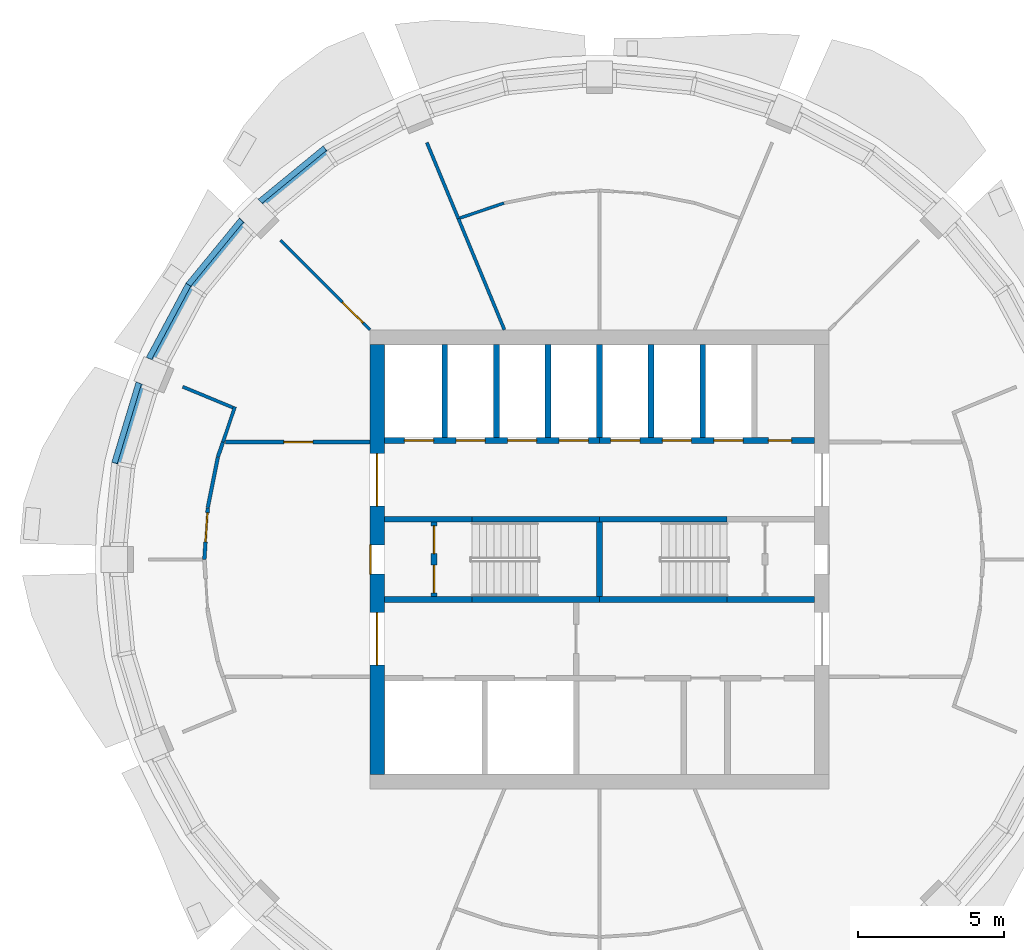
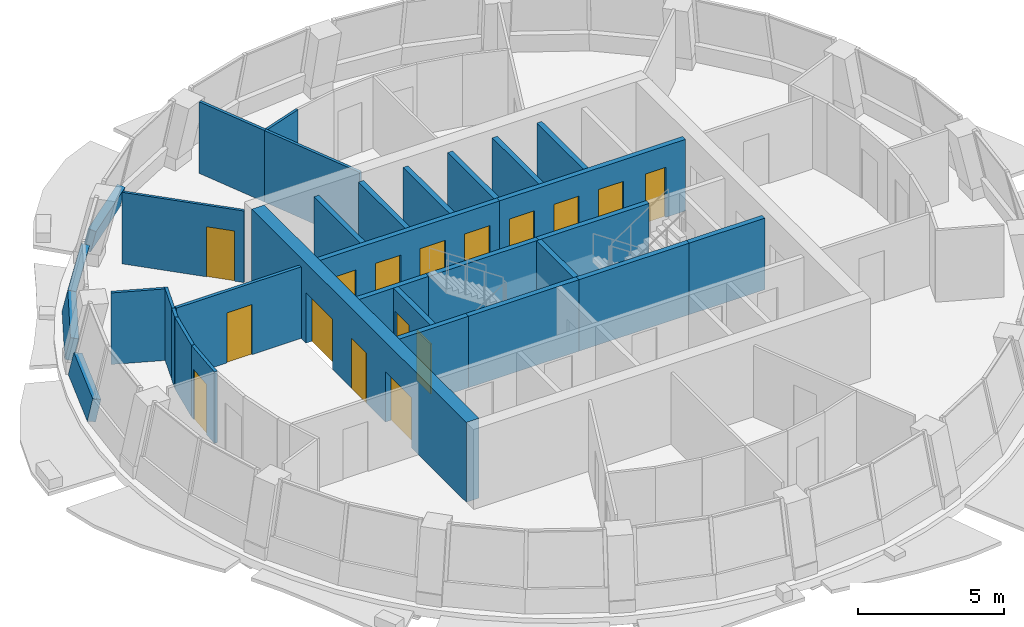
# One storey, part 5 of 11: 32 walls, 16 doors, 16 openings.
"""IFC4 building model written with IfcOpenShell, lengths in metres."""

from ifc_helpers import new_model, si_unit, direction, frame, frame_2d, origin, place, context, subcontext, project, spatial, polyline, rectangle, outline, extrude, material, layer, layer_set, type_object, element, fill, save


model = new_model("IFC4")

# Units and contexts
model_context = context("Model", 3, precision=1e-05, world=origin(), true_north=direction((0.0, 1.0)))
body_context = subcontext(model_context, "Body", "Model", "MODEL_VIEW")
ifc_project = project(units=[si_unit("LENGTHUNIT", "METRE"), si_unit("AREAUNIT", "SQUARE_METRE"), si_unit("VOLUMEUNIT", "CUBIC_METRE"), si_unit("PLANEANGLEUNIT", "RADIAN"), si_unit("MASSUNIT", "GRAM", prefix="KILO")], contexts=[model_context])

# Site, building, storey
site_placement = place(None, origin())
site = spatial("IfcSite", under=ifc_project, at=site_placement, CompositionType="ELEMENT")
building_placement = place(site_placement, origin())
building = spatial("IfcBuilding", under=site, at=building_placement, Name="Polderwave Tower", CompositionType="ELEMENT")
storey_placement = place(building_placement, frame((0.0, 0.0, 204.39990234375)))
storey = spatial("IfcBuildingStorey", under=building, at=storey_placement, Name="L55", CompositionType="ELEMENT", Elevation=204.39990234375)

# Wall, openings, doors
ifc_material_1 = material(Name="Concrete C60/75", Category="concrete")
ifc_layer_1 = layer(ifc_material_1, 0.5)
ifc_layer_set_1 = layer_set([ifc_layer_1], Name="CORE WALL 500 C60/75")
wall_type_1 = type_object("IfcWallType", Name="CORE WALL 500 C60/75", PredefinedType="SHEAR", material=ifc_layer_set_1)
wall_1_placement = place(storey_placement, frame((-7.6240234375, -7.3740234375, 0.0), z_axis=(0.0, 0.0, 1.0), x_axis=(0.0, 1.0, 0.0)))
wall_1 = element("IfcWall", 1, at=wall_1_placement, inside=storey, type_object=wall_type_1, Name="ST-CORE-L55-W", PredefinedType="SHEAR", context=body_context, shape_type="SweptSolid", body=[
    extrude(rectangle(XDim=14.748046875, YDim=0.5, at=frame_2d((7.3740234375, 0.0))), origin(), (0.0, 0.0, 1.0), 3.35009765625),
])
opening_1_placement = place(wall_1_placement, frame((6.8740234375, 0.0, 0.0)))
opening_1 = element("IfcOpeningElement", 2, at=opening_1_placement, cuts=wall_1, Name="Opening L55-D19", PredefinedType="OPENING", context=body_context, shape_type="SweptSolid", body=[
    extrude(rectangle(XDim=1.0, YDim=2.10009765625, at=frame_2d((0.5, 1.050048828125))), frame((0.0, 0.260009765625, 0.0), z_axis=(0.0, -1.0, 0.0), x_axis=(1.0, 0.0, 0.0)), (0.0, 0.0, 1.0), 0.52001953125),
])
opening_2_placement = place(wall_1_placement, frame((3.74951171875, 0.0, 0.0)))
opening_2 = element("IfcOpeningElement", 3, at=opening_2_placement, cuts=wall_1, Name="Opening L55-D20", PredefinedType="OPENING", context=body_context, shape_type="SweptSolid", body=[
    extrude(rectangle(XDim=1.800048828125, YDim=2.10009765625, at=frame_2d((0.89990234375, 1.050048828125))), frame((0.0, 0.260009765625, 0.0), z_axis=(0.0, -1.0, 0.0), x_axis=(1.0, 0.0, 0.0)), (0.0, 0.0, 1.0), 0.52001953125),
])
opening_3_placement = place(wall_1_placement, frame((9.198486328125, 0.0, 0.0)))
opening_3 = element("IfcOpeningElement", 4, at=opening_3_placement, cuts=wall_1, Name="Opening L55-D21", PredefinedType="OPENING", context=body_context, shape_type="SweptSolid", body=[
    extrude(rectangle(XDim=1.800048828125, YDim=2.10009765625, at=frame_2d((0.89990234375, 1.050048828125))), frame((0.0, 0.260009765625, 0.0), z_axis=(0.0, -1.0, 0.0), x_axis=(1.0, 0.0, 0.0)), (0.0, 0.0, 1.0), 0.52001953125),
])
ifc_material_2 = material(Name="Steel fire door", Category="steel")
door_type_1 = type_object("IfcDoorType", Name="Lobby entry door pair 1800", OperationType="DOUBLE_DOOR_SINGLE_SWING", PredefinedType="DOOR", material=ifc_material_2)
door_1_placement = place(opening_2_placement, origin())
door_1 = element("IfcDoor", 5, at=door_1_placement, inside=storey, type_object=door_type_1, Name="Fire-fighting lobby entry door", OperationType="DOUBLE_DOOR_SINGLE_SWING", OverallHeight=2.10009765625, OverallWidth=1.800048828125, PredefinedType="DOOR", context=body_context, shape_type="SweptSolid", body=[
    extrude(rectangle(XDim=1.800048828125, YDim=2.10009765625, at=frame_2d((0.89990234375, 1.050048828125))), frame((0.0, 0.02490234375, 0.0), z_axis=(0.0, -1.0, 0.0), x_axis=(1.0, 0.0, 0.0)), (0.0, 0.0, 1.0), 0.050048828125),
])
fill(opening_2, door_1)
door_2_placement = place(opening_3_placement, origin())
door_2 = element("IfcDoor", 6, at=door_2_placement, inside=storey, type_object=door_type_1, Name="North lobby entry door", OperationType="DOUBLE_DOOR_SINGLE_SWING", OverallHeight=2.10009765625, OverallWidth=1.800048828125, PredefinedType="DOOR", context=body_context, shape_type="SweptSolid", body=[
    extrude(rectangle(XDim=1.800048828125, YDim=2.10009765625, at=frame_2d((0.89990234375, 1.050048828125))), frame((0.0, 0.02490234375, 0.0), z_axis=(0.0, -1.0, 0.0), x_axis=(1.0, 0.0, 0.0)), (0.0, 0.0, 1.0), 0.050048828125),
])
fill(opening_3, door_2)
door_type_2 = type_object("IfcDoorType", Name="Stair door 1000", OperationType="NOTDEFINED", PredefinedType="DOOR", material=ifc_material_2)
door_3_placement = place(opening_1_placement, origin())
door_3 = element("IfcDoor", 7, at=door_3_placement, inside=storey, type_object=door_type_2, Name="Stair A entry door", OperationType="SINGLE_SWING_RIGHT", OverallHeight=2.10009765625, OverallWidth=1.0, PredefinedType="DOOR", context=body_context, shape_type="SweptSolid", body=[
    extrude(rectangle(XDim=1.0, YDim=2.10009765625, at=frame_2d((0.5, 1.050048828125))), frame((0.0, 0.25, 0.0), z_axis=(0.0, -1.0, 0.0), x_axis=(1.0, 0.0, 0.0)), (0.0, 0.0, 1.0), 0.050048828125),
])
fill(opening_1, door_3)

# Walls
ifc_material_3 = material(Name="Concrete C50/60 (board-marked)", Category="concrete")
ifc_layer_2 = layer(ifc_material_3, 0.300048828125)
ifc_layer_set_2 = layer_set([ifc_layer_2], Name="Concrete spandrel upstand C50/60")
wall_type_2 = type_object("IfcWallType", Name="Concrete spandrel upstand C50/60", PredefinedType="SOLIDWALL", material=ifc_layer_set_2)
wall_2_placement = place(storey_placement, frame((-9.4755859375, 14.18115234375, 0.0), z_axis=(-0.619877353438, 0.755401474704, 0.212416286358), x_axis=(-0.77304281661, -0.634353847381, 4.54494e-07)))
element("IfcWall", 8, at=wall_2_placement, inside=storey, type_object=wall_type_2, Name="Spandrel L55 6b", PredefinedType="SOLIDWALL", context=body_context, shape_type="SweptSolid", body=[
    extrude(outline(polyline([(0.0, 0.0), (2.888789702630808, 5.551115123125783e-17), (2.86933526156926, 0.9211668830901925), (0.0194015171973738, 0.9211695522174551), (0.0, 0.0)])), origin(), (0.0, 0.0, -1.0), 0.300048828125),
])
wall_3_placement = place(storey_placement, frame((-12.3486328125, 11.708740234375, 0.0), z_axis=(-0.755401474704, 0.619877353438, 0.212416286358), x_axis=(-0.634353847381, -0.77304281661, -4.54494e-07)))
element("IfcWall", 9, at=wall_3_placement, inside=storey, type_object=wall_type_2, Name="Spandrel L55 7a", PredefinedType="SOLIDWALL", context=body_context, shape_type="SweptSolid", body=[
    extrude(outline(polyline([(0.0, 0.0), (2.888789702630808, -5.551115123125783e-17), (2.869388185433434, 0.921169552217455), (0.01945444106154769, 0.9211668830901925), (0.0, 0.0)])), origin(), (0.0, 0.0, -1.0), 0.300048828125),
])
wall_4_placement = place(storey_placement, frame((-14.18115234375, 9.4755859375, 0.0), z_axis=(-0.861898085138, 0.460433644275, 0.212444228104), x_axis=(-0.471189380725, -0.882032067156, 6.6202e-08)))
element("IfcWall", 10, at=wall_4_placement, inside=storey, type_object=wall_type_2, Name="Spandrel L55 7b", PredefinedType="SOLIDWALL", context=body_context, shape_type="SweptSolid", body=[
    extrude(outline(polyline([(0.0, 0.0), (2.888615100191614, 5.551115123125783e-17), (2.869352703083372, 0.9209239056599307), (0.019182542241019847, 0.9211741382130918), (0.0, 0.0)])), origin(), (0.0, 0.0, -1.0), 0.300048828125),
])
wall_5_placement = place(storey_placement, frame((-15.889404296875, 6.091796875, 0.0), z_axis=(-0.935152492223, 0.28338395091, 0.212563761391), x_axis=(-0.29001059817, -0.957023433845, 4.460531e-06)))
element("IfcWall", 11, at=wall_5_placement, inside=storey, type_object=wall_type_2, Name="Spandrel L55 8a", PredefinedType="SOLIDWALL", context=body_context, shape_type="SweptSolid", body=[
    extrude(outline(polyline([(0.0, 0.0), (2.8885260507207984, 0.0), (2.869278186481872, 0.9209355015571417), (0.019219181632370762, 0.9212115477480832), (0.0, 0.0)])), origin(), (0.0, 0.0, -1.0), 0.300048828125),
])

# Wall, openings, doors
ifc_material_4 = material(Name="Gypsum board partition")
ifc_layer_3 = layer(ifc_material_4, 0.199951171875)
ifc_layer_set_3 = layer_set([ifc_layer_3], Name="Core room partition 200")
wall_type_3 = type_object("IfcWallType", Name="Core room partition 200", PredefinedType="PARTITIONING", material=ifc_layer_set_3)
wall_6_placement = place(storey_placement, frame((-5.674072265625, -1.27490234375, 0.0), z_axis=(0.0, 0.0, 1.0), x_axis=(0.0, 1.0, 0.0)))
wall_6 = element("IfcWall", 12, at=wall_6_placement, inside=storey, type_object=wall_type_3, Name="L55 smoke lobby wall A", PredefinedType="PARTITIONING", context=body_context, shape_type="SweptSolid", body=[
    extrude(rectangle(XDim=2.5498046875, YDim=0.199951171875, at=frame_2d((1.27490234375, 0.0))), origin(), (0.0, 0.0, 1.0), 3.0),
])
opening_4_placement = place(wall_6_placement, frame((0.125, 0.0, 0.0)))
opening_4 = element("IfcOpeningElement", 13, at=opening_4_placement, cuts=wall_6, Name="Opening L55-D10", PredefinedType="OPENING", context=body_context, shape_type="SweptSolid", body=[
    extrude(rectangle(XDim=0.949951171875, YDim=2.10009765625, at=frame_2d((0.47509765625, 1.050048828125))), frame((0.0, 0.10986328125, 0.0), z_axis=(0.0, -1.0, 0.0), x_axis=(1.0, 0.0, 0.0)), (0.0, 0.0, 1.0), 0.219970703125),
])
opening_5_placement = place(wall_6_placement, frame((1.47509765625, 0.0, 0.0)))
opening_5 = element("IfcOpeningElement", 14, at=opening_5_placement, cuts=wall_6, Name="Opening L55-D11", PredefinedType="OPENING", context=body_context, shape_type="SweptSolid", body=[
    extrude(rectangle(XDim=0.949951171875, YDim=2.10009765625, at=frame_2d((0.47509765625, 1.050048828125))), frame((0.0, 0.10986328125, 0.0), z_axis=(0.0, -1.0, 0.0), x_axis=(1.0, 0.0, 0.0)), (0.0, 0.0, 1.0), 0.219970703125),
])
door_type_3 = type_object("IfcDoorType", Name="Smoke lobby door 950", OperationType="NOTDEFINED", PredefinedType="DOOR", material=ifc_material_2)
door_4_placement = place(opening_4_placement, origin())
door_4 = element("IfcDoor", 15, at=door_4_placement, inside=storey, type_object=door_type_3, Name="Stair A smoke lobby inner door", OperationType="SINGLE_SWING_LEFT", OverallHeight=2.10009765625, OverallWidth=0.949951171875, PredefinedType="DOOR", context=body_context, shape_type="SweptSolid", body=[
    extrude(rectangle(XDim=0.949951171875, YDim=2.10009765625, at=frame_2d((0.47509765625, 1.050048828125))), frame((0.0, 0.02490234375, 0.0), z_axis=(0.0, -1.0, 0.0), x_axis=(1.0, 0.0, 0.0)), (0.0, 0.0, 1.0), 0.050048828125),
])
fill(opening_4, door_4)
door_5_placement = place(opening_5_placement, origin())
door_5 = element("IfcDoor", 16, at=door_5_placement, inside=storey, type_object=door_type_3, Name="Stair A smoke lobby inner door", OperationType="SINGLE_SWING_RIGHT", OverallHeight=2.10009765625, OverallWidth=0.949951171875, PredefinedType="DOOR", context=body_context, shape_type="SweptSolid", body=[
    extrude(rectangle(XDim=0.949951171875, YDim=2.10009765625, at=frame_2d((0.47509765625, 1.050048828125))), frame((0.0, 0.02490234375, 0.0), z_axis=(0.0, -1.0, 0.0), x_axis=(1.0, 0.0, 0.0)), (0.0, 0.0, 1.0), 0.050048828125),
])
fill(opening_5, door_5)

ifc_material_5 = material(Name="Concrete C50/60", Category="concrete")
ifc_layer_4 = layer(ifc_material_5, 0.199951171875)
ifc_layer_set_4 = layer_set([ifc_layer_4], Name="Core web wall 200")
wall_type_4 = type_object("IfcWallType", Name="Core web wall 200", PredefinedType="SHEAR", material=ifc_layer_set_4)
wall_7_placement = place(storey_placement, frame((-7.3740234375, 4.073974609375, 0.0), z_axis=(0.0, 0.0, 1.0), x_axis=(1.0, 0.0, 0.0)))
wall_7 = element("IfcWall", 17, at=wall_7_placement, inside=storey, type_object=wall_type_4, Name="L55 north front wall 1", PredefinedType="SHEAR", context=body_context, shape_type="SweptSolid", body=[
    extrude(rectangle(XDim=7.3740234375, YDim=0.199951171875, at=frame_2d((3.68701171875, 0.0))), origin(), (0.0, 0.0, 1.0), 3.0),
])
opening_6_placement = place(wall_7_placement, frame((0.68408203125, 0.0, 0.0)))
opening_6 = element("IfcOpeningElement", 18, at=opening_6_placement, cuts=wall_7, Name="Opening L55-D03", PredefinedType="OPENING", context=body_context, shape_type="SweptSolid", body=[
    extrude(rectangle(XDim=1.0, YDim=2.10009765625, at=frame_2d((0.5, 1.050048828125))), frame((0.0, 0.10986328125, 0.0), z_axis=(0.0, -1.0, 0.0), x_axis=(1.0, 0.0, 0.0)), (0.0, 0.0, 1.0), 0.219970703125),
])
opening_7_placement = place(wall_7_placement, frame((2.45263671875, 0.0, 0.0)))
opening_7 = element("IfcOpeningElement", 19, at=opening_7_placement, cuts=wall_7, Name="Opening L55-D04", PredefinedType="OPENING", context=body_context, shape_type="SweptSolid", body=[
    extrude(rectangle(XDim=1.0, YDim=2.10009765625, at=frame_2d((0.5, 1.050048828125))), frame((0.0, 0.10986328125, 0.0), z_axis=(0.0, -1.0, 0.0), x_axis=(1.0, 0.0, 0.0)), (0.0, 0.0, 1.0), 0.219970703125),
])
opening_8_placement = place(wall_7_placement, frame((4.22119140625, 0.0, 0.0)))
opening_8 = element("IfcOpeningElement", 20, at=opening_8_placement, cuts=wall_7, Name="Opening L55-D05", PredefinedType="OPENING", context=body_context, shape_type="SweptSolid", body=[
    extrude(rectangle(XDim=1.0, YDim=2.10009765625, at=frame_2d((0.5, 1.050048828125))), frame((0.0, 0.10986328125, 0.0), z_axis=(0.0, -1.0, 0.0), x_axis=(1.0, 0.0, 0.0)), (0.0, 0.0, 1.0), 0.219970703125),
])
opening_9_placement = place(wall_7_placement, frame((5.98974609375, 0.0, 0.0)))
opening_9 = element("IfcOpeningElement", 21, at=opening_9_placement, cuts=wall_7, Name="Opening L55-D06", PredefinedType="OPENING", context=body_context, shape_type="SweptSolid", body=[
    extrude(rectangle(XDim=1.0, YDim=2.10009765625, at=frame_2d((0.5, 1.050048828125))), frame((0.0, 0.10986328125, 0.0), z_axis=(0.0, -1.0, 0.0), x_axis=(1.0, 0.0, 0.0)), (0.0, 0.0, 1.0), 0.219970703125),
])
ifc_material_6 = material(Name="Stainless steel", Category="steel")
door_type_4 = type_object("IfcDoorType", Name="Lift landing door 1000", OperationType="DOUBLE_DOOR_SLIDING", PredefinedType="DOOR", material=ifc_material_6)
door_6_placement = place(opening_6_placement, frame((1.0, 0.0, 0.0), z_axis=(0.0, 0.0, 1.0), x_axis=(-1.0, 0.0, 0.0)))
door_6 = element("IfcDoor", 22, at=door_6_placement, inside=storey, type_object=door_type_4, Name="Lift HL1 landing door", OperationType="DOUBLE_DOOR_SLIDING", OverallHeight=2.10009765625, OverallWidth=1.0, PredefinedType="DOOR", context=body_context, shape_type="SweptSolid", body=[
    extrude(rectangle(XDim=1.0, YDim=2.10009765625, at=frame_2d((0.5, 1.050048828125))), frame((0.0, 0.02490234375, 0.0), z_axis=(0.0, -1.0, 0.0), x_axis=(1.0, 0.0, 0.0)), (0.0, 0.0, 1.0), 0.050048828125),
])
fill(opening_6, door_6)
door_7_placement = place(opening_7_placement, frame((1.0, 0.0, 0.0), z_axis=(0.0, 0.0, 1.0), x_axis=(-1.0, 0.0, 0.0)))
door_7 = element("IfcDoor", 23, at=door_7_placement, inside=storey, type_object=door_type_4, Name="Lift HL2 landing door", OperationType="DOUBLE_DOOR_SLIDING", OverallHeight=2.10009765625, OverallWidth=1.0, PredefinedType="DOOR", context=body_context, shape_type="SweptSolid", body=[
    extrude(rectangle(XDim=1.0, YDim=2.10009765625, at=frame_2d((0.5, 1.050048828125))), frame((0.0, 0.02490234375, 0.0), z_axis=(0.0, -1.0, 0.0), x_axis=(1.0, 0.0, 0.0)), (0.0, 0.0, 1.0), 0.050048828125),
])
fill(opening_7, door_7)
door_8_placement = place(opening_8_placement, frame((1.0, 0.0, 0.0), z_axis=(0.0, 0.0, 1.0), x_axis=(-1.0, 0.0, 0.0)))
door_8 = element("IfcDoor", 24, at=door_8_placement, inside=storey, type_object=door_type_4, Name="Lift HL3 landing door", OperationType="DOUBLE_DOOR_SLIDING", OverallHeight=2.10009765625, OverallWidth=1.0, PredefinedType="DOOR", context=body_context, shape_type="SweptSolid", body=[
    extrude(rectangle(XDim=1.0, YDim=2.10009765625, at=frame_2d((0.5, 1.050048828125))), frame((0.0, 0.02490234375, 0.0), z_axis=(0.0, -1.0, 0.0), x_axis=(1.0, 0.0, 0.0)), (0.0, 0.0, 1.0), 0.050048828125),
])
fill(opening_8, door_8)
door_9_placement = place(opening_9_placement, frame((1.0, 0.0, 0.0), z_axis=(0.0, 0.0, 1.0), x_axis=(-1.0, 0.0, 0.0)))
door_9 = element("IfcDoor", 25, at=door_9_placement, inside=storey, type_object=door_type_4, Name="Lift HL4 landing door", OperationType="DOUBLE_DOOR_SLIDING", OverallHeight=2.10009765625, OverallWidth=1.0, PredefinedType="DOOR", context=body_context, shape_type="SweptSolid", body=[
    extrude(rectangle(XDim=1.0, YDim=2.10009765625, at=frame_2d((0.5, 1.050048828125))), frame((0.0, 0.02490234375, 0.0), z_axis=(0.0, -1.0, 0.0), x_axis=(1.0, 0.0, 0.0)), (0.0, 0.0, 1.0), 0.050048828125),
])
fill(opening_9, door_9)

wall_8_placement = place(storey_placement, frame((0.0, 4.073974609375, 0.0), z_axis=(0.0, 0.0, 1.0), x_axis=(1.0, 0.0, 0.0)))
wall_8 = element("IfcWall", 26, at=wall_8_placement, inside=storey, type_object=wall_type_4, Name="L55 north front wall 2", PredefinedType="SHEAR", context=body_context, shape_type="SweptSolid", body=[
    extrude(rectangle(XDim=7.3740234375, YDim=0.199951171875, at=frame_2d((3.68701171875, 0.0))), origin(), (0.0, 0.0, 1.0), 3.0),
])
opening_10_placement = place(wall_8_placement, frame((0.38427734375, 0.0, 0.0)))
opening_10 = element("IfcOpeningElement", 27, at=opening_10_placement, cuts=wall_8, Name="Opening L55-D07", PredefinedType="OPENING", context=body_context, shape_type="SweptSolid", body=[
    extrude(rectangle(XDim=1.0, YDim=2.10009765625, at=frame_2d((0.5, 1.050048828125))), frame((0.0, 0.10986328125, 0.0), z_axis=(0.0, -1.0, 0.0), x_axis=(1.0, 0.0, 0.0)), (0.0, 0.0, 1.0), 0.219970703125),
])
opening_11_placement = place(wall_8_placement, frame((2.15283203125, 0.0, 0.0)))
opening_11 = element("IfcOpeningElement", 28, at=opening_11_placement, cuts=wall_8, Name="Opening L55-D08", PredefinedType="OPENING", context=body_context, shape_type="SweptSolid", body=[
    extrude(rectangle(XDim=1.0, YDim=2.10009765625, at=frame_2d((0.5, 1.050048828125))), frame((0.0, 0.10986328125, 0.0), z_axis=(0.0, -1.0, 0.0), x_axis=(1.0, 0.0, 0.0)), (0.0, 0.0, 1.0), 0.219970703125),
])
opening_12_placement = place(wall_8_placement, frame((3.921142578125, 0.0, 0.0)))
opening_12 = element("IfcOpeningElement", 29, at=opening_12_placement, cuts=wall_8, Name="Opening L55-D09", PredefinedType="OPENING", context=body_context, shape_type="SweptSolid", body=[
    extrude(rectangle(XDim=1.0, YDim=2.10009765625, at=frame_2d((0.5, 1.050048828125))), frame((0.0, 0.10986328125, 0.0), z_axis=(0.0, -1.0, 0.0), x_axis=(1.0, 0.0, 0.0)), (0.0, 0.0, 1.0), 0.219970703125),
])
opening_13_placement = place(wall_8_placement, frame((5.789794921875, 0.0, 0.0)))
opening_13 = element("IfcOpeningElement", 30, at=opening_13_placement, cuts=wall_8, Name="Opening L55-D18", PredefinedType="OPENING", context=body_context, shape_type="SweptSolid", body=[
    extrude(rectangle(XDim=0.800048828125, YDim=2.10009765625, at=frame_2d((0.39990234375, 1.050048828125))), frame((0.0, 0.10986328125, 0.0), z_axis=(0.0, -1.0, 0.0), x_axis=(1.0, 0.0, 0.0)), (0.0, 0.0, 1.0), 0.219970703125),
])
door_10_placement = place(opening_10_placement, frame((1.0, 0.0, 0.0), z_axis=(0.0, 0.0, 1.0), x_axis=(-1.0, 0.0, 0.0)))
door_10 = element("IfcDoor", 31, at=door_10_placement, inside=storey, type_object=door_type_4, Name="Lift HL5 landing door", OperationType="DOUBLE_DOOR_SLIDING", OverallHeight=2.10009765625, OverallWidth=1.0, PredefinedType="DOOR", context=body_context, shape_type="SweptSolid", body=[
    extrude(rectangle(XDim=1.0, YDim=2.10009765625, at=frame_2d((0.5, 1.050048828125))), frame((0.0, 0.02490234375, 0.0), z_axis=(0.0, -1.0, 0.0), x_axis=(1.0, 0.0, 0.0)), (0.0, 0.0, 1.0), 0.050048828125),
])
fill(opening_10, door_10)
door_11_placement = place(opening_11_placement, frame((1.0, 0.0, 0.0), z_axis=(0.0, 0.0, 1.0), x_axis=(-1.0, 0.0, 0.0)))
door_11 = element("IfcDoor", 32, at=door_11_placement, inside=storey, type_object=door_type_4, Name="Lift HL6 landing door", OperationType="DOUBLE_DOOR_SLIDING", OverallHeight=2.10009765625, OverallWidth=1.0, PredefinedType="DOOR", context=body_context, shape_type="SweptSolid", body=[
    extrude(rectangle(XDim=1.0, YDim=2.10009765625, at=frame_2d((0.5, 1.050048828125))), frame((0.0, 0.02490234375, 0.0), z_axis=(0.0, -1.0, 0.0), x_axis=(1.0, 0.0, 0.0)), (0.0, 0.0, 1.0), 0.050048828125),
])
fill(opening_11, door_11)
door_12_placement = place(opening_12_placement, frame((1.0, 0.0, 0.0), z_axis=(0.0, 0.0, 1.0), x_axis=(-1.0, 0.0, 0.0)))
door_12 = element("IfcDoor", 33, at=door_12_placement, inside=storey, type_object=door_type_4, Name="Lift HL7 landing door", OperationType="DOUBLE_DOOR_SLIDING", OverallHeight=2.10009765625, OverallWidth=1.0, PredefinedType="DOOR", context=body_context, shape_type="SweptSolid", body=[
    extrude(rectangle(XDim=1.0, YDim=2.10009765625, at=frame_2d((0.5, 1.050048828125))), frame((0.0, 0.02490234375, 0.0), z_axis=(0.0, -1.0, 0.0), x_axis=(1.0, 0.0, 0.0)), (0.0, 0.0, 1.0), 0.050048828125),
])
fill(opening_12, door_12)
door_type_5 = type_object("IfcDoorType", Name="Riser door 800", OperationType="NOTDEFINED", PredefinedType="DOOR", material=ifc_material_2)
door_13_placement = place(opening_13_placement, frame((0.800048828125, 0.0, 0.0), z_axis=(0.0, 0.0, 1.0), x_axis=(-1.0, 0.0, 0.0)))
door_13 = element("IfcDoor", 34, at=door_13_placement, inside=storey, type_object=door_type_5, Name="Riser door", OperationType="SINGLE_SWING_LEFT", OverallHeight=2.10009765625, OverallWidth=0.800048828125, PredefinedType="DOOR", context=body_context, shape_type="SweptSolid", body=[
    extrude(rectangle(XDim=0.800048828125, YDim=2.10009765625, at=frame_2d((0.39990234375, 1.050048828125))), frame((0.0, 0.02490234375, 0.0), z_axis=(0.0, -1.0, 0.0), x_axis=(1.0, 0.0, 0.0)), (0.0, 0.0, 1.0), 0.050048828125),
])
fill(opening_13, door_13)

# Walls
wall_9_placement = place(storey_placement, frame((-7.3740234375, -1.375, 0.0), z_axis=(0.0, 0.0, 1.0), x_axis=(1.0, 0.0, 0.0)))
element("IfcWall", 35, at=wall_9_placement, inside=storey, type_object=wall_type_4, Name="L55 south stair wall 1", PredefinedType="SHEAR", context=body_context, shape_type="SweptSolid", body=[
    extrude(rectangle(XDim=3.0, YDim=0.199951171875, at=frame_2d((1.5, 0.0))), origin(), (0.0, 0.0, 1.0), 3.0),
])
for number, where, z_axis, x_axis, name in (
    (36, (-4.3740234375, -1.375, 0.0), (0.0, 0.0, 1.0), (1.0, 0.0, 0.0), "L55 south stair wall 2"),
    (37, (0.0, -1.375, 0.0), (0.0, 0.0, 1.0), (1.0, 0.0, 0.0), "L55 south stair wall 3"),
):
    element("IfcWall", number, at=place(storey_placement, frame(where, z_axis=z_axis, x_axis=x_axis)), inside=storey, type_object=wall_type_4, Name=name, PredefinedType="SHEAR", context=body_context, shape_type="SweptSolid", body=[
        extrude(rectangle(XDim=4.3740234375, YDim=0.199951171875, at=frame_2d((2.18701171875, 0.0))), origin(), (0.0, 0.0, 1.0), 3.0),
    ])
for number, where, z_axis, x_axis, name in (
    (38, (4.3740234375, -1.375, 0.0), (0.0, 0.0, 1.0), (1.0, 0.0, 0.0), "L55 south stair wall 4"),
    (39, (-7.3740234375, 1.375, 0.0), (0.0, 0.0, 1.0), (1.0, 0.0, 0.0), "L55 north stair wall 1"),
):
    element("IfcWall", number, at=place(storey_placement, frame(where, z_axis=z_axis, x_axis=x_axis)), inside=storey, type_object=wall_type_4, Name=name, PredefinedType="SHEAR", context=body_context, shape_type="SweptSolid", body=[
        extrude(rectangle(XDim=3.0, YDim=0.199951171875, at=frame_2d((1.5, 0.0))), origin(), (0.0, 0.0, 1.0), 3.0),
    ])
for number, where, z_axis, x_axis, name in (
    (40, (-4.3740234375, 1.375, 0.0), (0.0, 0.0, 1.0), (1.0, 0.0, 0.0), "L55 north stair wall 2"),
    (41, (0.0, 1.375, 0.0), (0.0, 0.0, 1.0), (1.0, 0.0, 0.0), "L55 north stair wall 3"),
):
    element("IfcWall", number, at=place(storey_placement, frame(where, z_axis=z_axis, x_axis=x_axis)), inside=storey, type_object=wall_type_4, Name=name, PredefinedType="SHEAR", context=body_context, shape_type="SweptSolid", body=[
        extrude(rectangle(XDim=4.3740234375, YDim=0.199951171875, at=frame_2d((2.18701171875, 0.0))), origin(), (0.0, 0.0, 1.0), 3.0),
    ])
wall_10_placement = place(storey_placement, frame((0.0, -1.27490234375, 0.0), z_axis=(0.0, 0.0, 1.0), x_axis=(0.0, 1.0, 0.0)))
element("IfcWall", 42, at=wall_10_placement, inside=storey, type_object=wall_type_4, Name="L55 wall between the stairs", PredefinedType="SHEAR", context=body_context, shape_type="SweptSolid", body=[
    extrude(rectangle(XDim=2.5498046875, YDim=0.199951171875, at=frame_2d((1.27490234375, 0.0))), origin(), (0.0, 0.0, 1.0), 3.0),
])

# Wall, opening, door
ifc_material_7 = material(Name="Fire-resisting board on steel studs", Category="steel")
ifc_layer_5 = layer(ifc_material_7, 0.125)
ifc_layer_set_5 = layer_set([ifc_layer_5], Name="Corridor wall 125 mm EI 60")
wall_type_5 = type_object("IfcWallType", Name="Corridor wall 125 mm EI 60", PredefinedType="PARTITIONING", material=ifc_layer_set_5)
wall_11_placement = place(storey_placement, frame((-12.825439453125, 4.0244140625, 0.0), z_axis=(0.0, 0.0, 1.0), x_axis=(1.0, 0.0, 0.0)))
wall_11 = element("IfcWall", 43, at=wall_11_placement, inside=storey, type_object=wall_type_5, Name="IN-L55-W009", PredefinedType="PARTITIONING", context=body_context, shape_type="SweptSolid", body=[
    extrude(rectangle(XDim=4.951416015625, YDim=0.125, at=frame_2d((2.4755859375, 0.0))), origin(), (0.0, 0.0, 1.0), 3.0),
])
opening_14_placement = place(wall_11_placement, frame((2.0, 0.0, 0.0)))
opening_14 = element("IfcOpeningElement", 44, at=opening_14_placement, cuts=wall_11, Name="Opening L55-D54", PredefinedType="OPENING", context=body_context, shape_type="SweptSolid", body=[
    extrude(rectangle(XDim=1.0, YDim=2.10009765625, at=frame_2d((0.5, 1.050048828125))), frame((0.0, 0.072509765625, 0.0), z_axis=(0.0, -1.0, 0.0), x_axis=(1.0, 0.0, 0.0)), (0.0, 0.0, 1.0), 0.14501953125),
])
ifc_material_8 = material(Name="Timber fire door leaf", Category="wood")
door_type_6 = type_object("IfcDoorType", Name="Fire door FD30S 1000 x 2100", OperationType="NOTDEFINED", PredefinedType="DOOR", material=ifc_material_8)
door_14_placement = place(opening_14_placement, origin())
door_14 = element("IfcDoor", 45, at=door_14_placement, inside=storey, type_object=door_type_6, Name="Door L55-D54", OperationType="SINGLE_SWING_RIGHT", OverallHeight=2.10009765625, OverallWidth=1.0, PredefinedType="DOOR", context=body_context, shape_type="SweptSolid", body=[
    extrude(rectangle(XDim=1.0, YDim=2.10009765625, at=frame_2d((0.5, 1.050048828125))), frame((0.0, 0.02490234375, 0.0), z_axis=(0.0, -1.0, 0.0), x_axis=(1.0, 0.0, 0.0)), (0.0, 0.0, 1.0), 0.050048828125),
])
fill(opening_14, door_14)

wall_12_placement = place(storey_placement, frame((-13.550048828125, 0.0, 0.0), z_axis=(0.0, 0.0, 1.0), x_axis=(0.065446765392, 0.997856062215, 0.0)))
wall_12 = element("IfcWall", 46, at=wall_12_placement, inside=storey, type_object=wall_type_5, Name="IN-L55-W010", PredefinedType="PARTITIONING", context=body_context, shape_type="SweptSolid", body=[
    extrude(rectangle(XDim=1.768310546875, YDim=0.125, at=frame_2d((0.88427734375, 0.0))), origin(), (0.0, 0.0, 1.0), 3.0),
])
opening_15_placement = place(wall_12_placement, frame((0.60009765625, 0.0, 0.0)))
opening_15 = element("IfcOpeningElement", 47, at=opening_15_placement, cuts=wall_12, Name="Opening L55-D55", PredefinedType="OPENING", context=body_context, shape_type="SweptSolid", body=[
    extrude(rectangle(XDim=1.0, YDim=2.10009765625, at=frame_2d((0.5, 1.050048828125))), frame((0.0, 0.072509765625, 0.0), z_axis=(0.0, -1.0, 0.0), x_axis=(1.0, 0.0, 0.0)), (0.0, 0.0, 1.0), 0.14501953125),
])
door_15_placement = place(opening_15_placement, origin())
door_15 = element("IfcDoor", 48, at=door_15_placement, inside=storey, type_object=door_type_6, Name="Door L55-D55", OperationType="SINGLE_SWING_RIGHT", OverallHeight=2.10009765625, OverallWidth=1.0, PredefinedType="DOOR", context=body_context, shape_type="SweptSolid", body=[
    extrude(rectangle(XDim=1.0, YDim=2.10009765625, at=frame_2d((0.5, 1.050048828125))), frame((0.0, 0.02490234375, 0.0), z_axis=(0.0, -1.0, 0.0), x_axis=(1.0, 0.0, 0.0)), (0.0, 0.0, 1.0), 0.050048828125),
])
fill(opening_15, door_15)

# Walls
wall_13_placement = place(storey_placement, frame((-13.433349609375, 1.772705078125, 0.0), z_axis=(0.0, 0.0, 1.0), x_axis=(0.195131330955, 0.980777122327, 0.0)))
element("IfcWall", 49, at=wall_13_placement, inside=storey, type_object=wall_type_5, Name="IN-L55-W011", PredefinedType="PARTITIONING", context=body_context, shape_type="SweptSolid", body=[
    extrude(rectangle(XDim=1.76416015625, YDim=0.125, at=frame_2d((0.882080078125, 0.0))), origin(), (0.0, 0.0, 1.0), 3.0),
])
wall_14_placement = place(storey_placement, frame((-13.0869140625, 3.510986328125, 0.0), z_axis=(0.0, 0.0, 1.0), x_axis=(0.321491020406, 0.946912627331, 0.0)))
element("IfcWall", 50, at=wall_14_placement, inside=storey, type_object=wall_type_5, Name="IN-L55-W012", PredefinedType="PARTITIONING", context=body_context, shape_type="SweptSolid", body=[
    extrude(rectangle(XDim=0.542236328125, YDim=0.125, at=frame_2d((0.27099609375, 0.0))), origin(), (0.0, 0.0, 1.0), 3.0),
])
ifc_material_9 = material(Name="Plasterboard on steel studs", Category="steel")
ifc_layer_6 = layer(ifc_material_9, 0.10009765625)
ifc_layer_set_6 = layer_set([ifc_layer_6], Name="Partition 100 mm plasterboard on steel studs")
wall_type_6 = type_object("IfcWallType", Name="Partition 100 mm plasterboard on steel studs", PredefinedType="PARTITIONING", material=ifc_layer_set_6)
wall_15_placement = place(storey_placement, frame((-3.277099609375, 12.218017578125, 0.0), z_axis=(0.0, 0.0, 1.0), x_axis=(-0.946906238322, -0.321509837838, 0.0)))
element("IfcWall", 51, at=wall_15_placement, inside=storey, type_object=wall_type_6, Name="IN-L55-W027", PredefinedType="PARTITIONING", context=body_context, shape_type="SweptSolid", body=[
    extrude(rectangle(XDim=1.593017578125, YDim=0.10009765625, at=frame_2d((0.79638671875, 0.0))), origin(), (0.0, 0.0, 1.0), 3.0),
])

# Wall, opening, door
wall_16_placement = place(storey_placement, frame((-10.93896484375, 10.93896484375, 0.0), z_axis=(0.0, 0.0, 1.0), x_axis=(0.707106781187, -0.707106781187, 0.0)))
wall_16 = element("IfcWall", 52, at=wall_16_placement, inside=storey, type_object=wall_type_6, Name="IN-L55-W032", PredefinedType="PARTITIONING", context=body_context, shape_type="SweptSolid", body=[
    extrude(rectangle(XDim=4.33447265625, YDim=0.10009765625, at=frame_2d((2.167236328125, 0.0))), origin(), (0.0, 0.0, 1.0), 3.0),
])
opening_16_placement = place(wall_16_placement, frame((3.0, 0.0, 0.0)))
opening_16 = element("IfcOpeningElement", 53, at=opening_16_placement, cuts=wall_16, Name="Opening L55-D62", PredefinedType="OPENING", context=body_context, shape_type="SweptSolid", body=[
    extrude(rectangle(XDim=1.0, YDim=2.10009765625, at=frame_2d((0.5, 1.050048828125))), frame((0.0, 0.06005859375, 0.0), z_axis=(0.0, -1.0, 0.0), x_axis=(1.0, 0.0, 0.0)), (0.0, 0.0, 1.0), 0.1201171875),
])
ifc_material_10 = material(Name="Timber veneer door leaf", Category="wood")
door_type_7 = type_object("IfcDoorType", Name="Single door 1000 x 2100", OperationType="NOTDEFINED", PredefinedType="DOOR", material=ifc_material_10)
door_16_placement = place(opening_16_placement, origin())
door_16 = element("IfcDoor", 54, at=door_16_placement, inside=storey, type_object=door_type_7, Name="Door L55-D62", OperationType="SINGLE_SWING_RIGHT", OverallHeight=2.10009765625, OverallWidth=1.0, PredefinedType="DOOR", context=body_context, shape_type="SweptSolid", body=[
    extrude(rectangle(XDim=1.0, YDim=2.10009765625, at=frame_2d((0.5, 1.050048828125))), frame((0.0, 0.02490234375, 0.0), z_axis=(0.0, -1.0, 0.0), x_axis=(1.0, 0.0, 0.0)), (0.0, 0.0, 1.0), 0.050048828125),
])
fill(opening_16, door_16)

# Walls
ifc_material_11 = material(Name="Acoustic double plasterboard on steel studs", Category="steel")
ifc_layer_7 = layer(ifc_material_11, 0.110107421875)
ifc_layer_set_7 = layer_set([ifc_layer_7], Name="Partition 110 mm acoustic double board")
wall_type_7 = type_object("IfcWallType", Name="Partition 110 mm acoustic double board", PredefinedType="PARTITIONING", material=ifc_layer_set_7)
wall_17_placement = place(storey_placement, frame((-4.8408203125, 11.68701171875, 0.0), z_axis=(0.0, 0.0, 1.0), x_axis=(-0.382721328069, 0.923863834686, 0.0)))
element("IfcWall", 55, at=wall_17_placement, inside=storey, type_object=wall_type_7, Name="IN-L55-W030", PredefinedType="PARTITIONING", context=body_context, shape_type="SweptSolid", body=[
    extrude(rectangle(XDim=2.820068359375, YDim=0.110107421875, at=frame_2d((1.41015625, 0.0))), origin(), (0.0, 0.0, 1.0), 3.0),
])
wall_18_placement = place(storey_placement, frame((-3.261474609375, 7.8740234375, 0.0), z_axis=(0.0, 0.0, 1.0), x_axis=(-0.382673969281, 0.923883452192, 0.0)))
element("IfcWall", 56, at=wall_18_placement, inside=storey, type_object=wall_type_7, Name="IN-L55-W031", PredefinedType="PARTITIONING", context=body_context, shape_type="SweptSolid", body=[
    extrude(rectangle(XDim=4.127197265625, YDim=0.110107421875, at=frame_2d((2.0634765625, 0.0))), origin(), (0.0, 0.0, 1.0), 3.0),
])
wall_19_placement = place(storey_placement, frame((-12.91259765625, 4.0244140625, 0.0), z_axis=(0.0, 0.0, 1.0), x_axis=(0.32136960108, 0.946953842329, 0.0)))
element("IfcWall", 57, at=wall_19_placement, inside=storey, type_object=wall_type_7, Name="IN-L55-W033", PredefinedType="PARTITIONING", context=body_context, shape_type="SweptSolid", body=[
    extrude(rectangle(XDim=1.28076171875, YDim=0.110107421875, at=frame_2d((0.640380859375, 0.0))), origin(), (0.0, 0.0, 1.0), 3.0),
])
wall_20_placement = place(storey_placement, frame((-12.572998046875, 5.207763671875, 0.0), z_axis=(0.0, 0.0, 1.0), x_axis=(-0.923847349542, 0.382761119688, 0.0)))
element("IfcWall", 58, at=wall_20_placement, inside=storey, type_object=wall_type_7, Name="IN-L55-W034", PredefinedType="PARTITIONING", context=body_context, shape_type="SweptSolid", body=[
    extrude(rectangle(XDim=1.861328125, YDim=0.110107421875, at=frame_2d((0.9306640625, 0.0))), origin(), (0.0, 0.0, 1.0), 3.0),
])
ifc_material_12 = material(Name="Gypsum shaft wall system")
ifc_layer_8 = layer(ifc_material_12, 0.199951171875)
ifc_layer_set_8 = layer_set([ifc_layer_8], Name="Shaft wall 200")
wall_type_8 = type_object("IfcWallType", Name="Shaft wall 200", PredefinedType="PARTITIONING", material=ifc_layer_set_8)
for number, where, z_axis, x_axis, name in (
    (59, (-5.305419921875, 4.174072265625, 0.0), (0.0, 0.0, 1.0), (0.0, 1.0, 0.0), "L55 lift shaft wall N1"),
    (60, (-3.537109375, 4.174072265625, 0.0), (0.0, 0.0, 1.0), (0.0, 1.0, 0.0), "L55 lift shaft wall N2"),
    (61, (-1.7685546875, 4.174072265625, 0.0), (0.0, 0.0, 1.0), (0.0, 1.0, 0.0), "L55 lift shaft wall N3"),
    (62, (0.0, 4.174072265625, 0.0), (0.0, 0.0, 1.0), (0.0, 1.0, 0.0), "L55 lift shaft wall N4"),
    (63, (1.7685546875, 4.174072265625, 0.0), (0.0, 0.0, 1.0), (0.0, 1.0, 0.0), "L55 lift shaft wall N5"),
    (64, (3.537109375, 4.174072265625, 0.0), (0.0, 0.0, 1.0), (0.0, 1.0, 0.0), "L55 lift shaft wall N6"),
):
    element("IfcWall", number, at=place(storey_placement, frame(where, z_axis=z_axis, x_axis=x_axis)), inside=storey, type_object=wall_type_8, Name=name, PredefinedType="PARTITIONING", context=body_context, shape_type="SweptSolid", body=[
        extrude(rectangle(XDim=3.199951171875, YDim=0.199951171875, at=frame_2d((1.60009765625, 0.0))), origin(), (0.0, 0.0, 1.0), 3.0),
    ])

save(model, "model.ifc")
